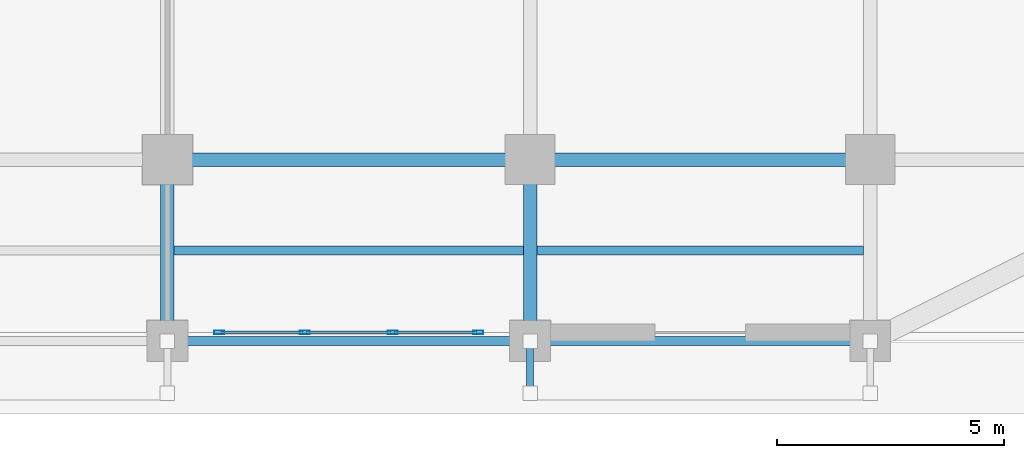
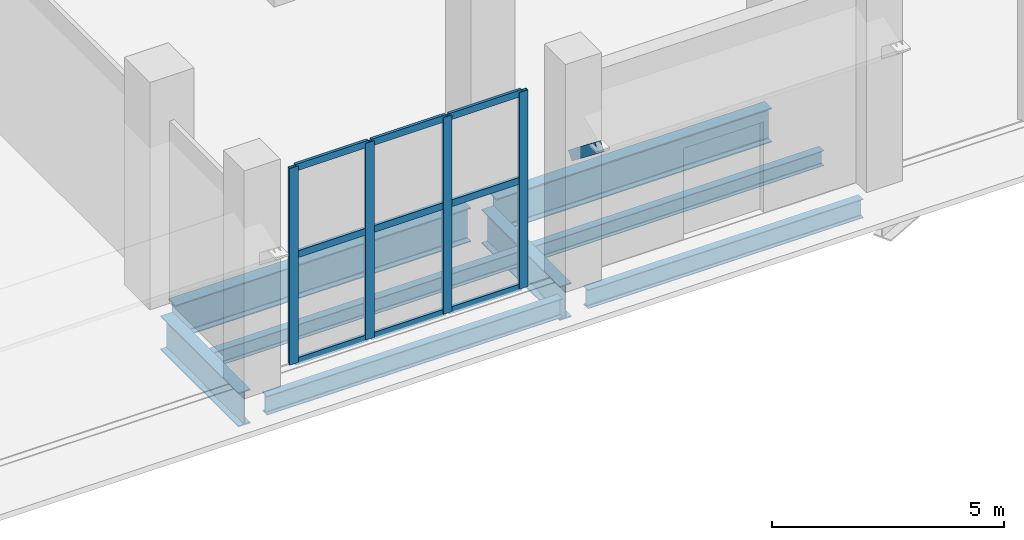
# One storey, part 8 of 19: 14 members, 8 beams, 1 element without a shape of its own.
"""IFC4 building model written with IfcOpenShell, lengths in metres."""

from ifc_helpers import new_model, si_unit, direction, frame, origin, origin_2d, place, context, subcontext, project, spatial, hollow_rectangle, i_section, extrude, material, layer, layer_set, material_profile, profile_set, type_object, element, aggregate, save


model = new_model("IFC4")

# Units and contexts
model_context = context("Model", 3, precision=1e-05, world=origin(), true_north=direction((0.0, 1.0)))
body_context = subcontext(model_context, "Body", "Model", "MODEL_VIEW")
ifc_project = project(units=[si_unit("LENGTHUNIT", "METRE"), si_unit("AREAUNIT", "SQUARE_METRE"), si_unit("VOLUMEUNIT", "CUBIC_METRE"), si_unit("PLANEANGLEUNIT", "RADIAN"), si_unit("MASSUNIT", "GRAM", prefix="KILO")], contexts=[model_context])

# Site, building, storey
site_placement = place(None, origin())
site = spatial("IfcSite", under=ifc_project, at=site_placement, CompositionType="ELEMENT")
building_placement = place(site_placement, origin())
building = spatial("IfcBuilding", under=site, at=building_placement, Name="Qianrong Seaharbour Tower", CompositionType="ELEMENT")
storey_placement = place(building_placement, origin())
storey = spatial("IfcBuildingStorey", under=building, at=storey_placement, Name="L01", CompositionType="ELEMENT", Elevation=0.0)

# Beams
ifc_material_1 = material(Name="Structural steel SN490B", Category="steel")
ifc_material_profile_1 = material_profile(ifc_material_1, i_section(OverallWidth=0.300048828125, OverallDepth=0.89990234375, WebThickness=0.01611328125, FlangeThickness=0.028076171875, FilletRadius=0.028076171875, at=origin_2d()), Name="H900x300x16x28")
ifc_profile_set_1 = profile_set([ifc_material_profile_1], Name="Structural steel SN490B")
beam_type_1 = type_object("IfcBeamType", Name="BM-G-900", PredefinedType="BEAM", material=ifc_profile_set_1)
beam_1_placement = place(storey_placement, frame((48.820068359375, 4.0, -0.8701171875), z_axis=(1.0, 0.0, 0.0), x_axis=(0.0, 1.0, 0.0)))
element("IfcBeam", 1, at=beam_1_placement, inside=storey, type_object=beam_type_1, Name="L01 Primary Girder GB G7-G8", PredefinedType="BEAM", context=body_context, shape_type="SweptSolid", body=[
    extrude(i_section(OverallWidth=0.300048828125, OverallDepth=0.89990234375, WebThickness=0.01611328125, FlangeThickness=0.028076171875, FilletRadius=0.028076171875, at=origin_2d()), origin(), (0.0, 0.0, 1.0), 7.35986328125),
])
beam_2_placement = place(storey_placement, frame((56.820068359375, 4.0, -0.8701171875), z_axis=(1.0, 0.0, 0.0), x_axis=(0.0, 1.0, 0.0)))
element("IfcBeam", 2, at=beam_2_placement, inside=storey, type_object=beam_type_1, Name="L01 Primary Girder GB G8-G9", PredefinedType="BEAM", context=body_context, shape_type="SweptSolid", body=[
    extrude(i_section(OverallWidth=0.300048828125, OverallDepth=0.89990234375, WebThickness=0.01611328125, FlangeThickness=0.028076171875, FilletRadius=0.028076171875, at=origin_2d()), origin(), (0.0, 0.0, 1.0), 6.85986328125),
])
for number, where, z_axis, x_axis, name in (
    (3, (48.5, 0.320068359375, -0.8701171875), (0.0, 1.0, 0.0), (-1.0, 0.0, 0.0), "L01 Primary Girder G7 GA-GB"),
    (4, (56.5, 0.320068359375, -0.8701171875), (0.0, 1.0, 0.0), (-1.0, 0.0, 0.0), "L01 Primary Girder G8 GA-GB"),
):
    element("IfcBeam", number, at=place(storey_placement, frame(where, z_axis=z_axis, x_axis=x_axis)), inside=storey, type_object=beam_type_1, Name=name, PredefinedType="BEAM", context=body_context, shape_type="SweptSolid", body=[
        extrude(i_section(OverallWidth=0.300048828125, OverallDepth=0.89990234375, WebThickness=0.01611328125, FlangeThickness=0.028076171875, FilletRadius=0.028076171875, at=origin_2d()), origin(), (0.0, 0.0, 1.0), 3.35986328125),
    ])
ifc_material_2 = material(Name="Structural steel SN400B", Category="steel")
ifc_material_profile_2 = material_profile(ifc_material_2, i_section(OverallWidth=0.199951171875, OverallDepth=0.39990234375, WebThickness=0.008056640625, FlangeThickness=0.012939453125, FilletRadius=0.01611328125, at=origin_2d()), Name="H400x200x8x13")
ifc_profile_set_2 = profile_set([ifc_material_profile_2], Name="Structural steel SN400B")
beam_type_2 = type_object("IfcBeamType", Name="BM-J-400", PredefinedType="JOIST", material=ifc_profile_set_2)
beam_3_placement = place(storey_placement, frame((48.64990234375, 2.0, -0.6201171875), z_axis=(1.0, 0.0, 0.0), x_axis=(0.0, 1.0, 0.0)))
element("IfcBeam", 5, at=beam_3_placement, inside=storey, type_object=beam_type_2, Name="L01 Composite Floor Joist G7-G8/GA-GB", PredefinedType="JOIST", context=body_context, shape_type="SweptSolid", body=[
    extrude(i_section(OverallWidth=0.199951171875, OverallDepth=0.39990234375, WebThickness=0.008056640625, FlangeThickness=0.012939453125, FilletRadius=0.01611328125, at=origin_2d()), origin(), (0.0, 0.0, 1.0), 7.7001953125),
])
beam_4_placement = place(storey_placement, frame((56.64990234375, 2.0, -0.6201171875), z_axis=(1.0, 0.0, 0.0), x_axis=(0.0, 1.0, 0.0)))
element("IfcBeam", 6, at=beam_4_placement, inside=storey, type_object=beam_type_2, Name="L01 Composite Floor Joist G8-G9/GA-GB", PredefinedType="JOIST", context=body_context, shape_type="SweptSolid", body=[
    extrude(i_section(OverallWidth=0.199951171875, OverallDepth=0.39990234375, WebThickness=0.008056640625, FlangeThickness=0.012939453125, FilletRadius=0.01611328125, at=origin_2d()), origin(), (0.0, 0.0, 1.0), 7.2001953125),
])
ifc_material_profile_3 = material_profile(ifc_material_1, i_section(OverallWidth=0.199951171875, OverallDepth=0.5, WebThickness=0.010009765625, FlangeThickness=0.01611328125, FilletRadius=0.02001953125, at=origin_2d()), Name="H500x200x10x16")
ifc_profile_set_3 = profile_set([ifc_material_profile_3], Name="Structural steel SN490B")
beam_type_3 = type_object("IfcBeamType", Name="BM-SP-500", PredefinedType="SPANDREL", material=ifc_profile_set_3)
beam_5_placement = place(storey_placement, frame((48.820068359375, 0.0, -0.669921875), z_axis=(1.0, 0.0, 0.0), x_axis=(0.0, 1.0, 0.0)))
element("IfcBeam", 7, at=beam_5_placement, inside=storey, type_object=beam_type_3, Name="L01 Spandrel Girder GA G7-G8", PredefinedType="SPANDREL", context=body_context, shape_type="SweptSolid", body=[
    extrude(i_section(OverallWidth=0.199951171875, OverallDepth=0.5, WebThickness=0.010009765625, FlangeThickness=0.01611328125, FilletRadius=0.02001953125, at=origin_2d()), origin(), (0.0, 0.0, 1.0), 7.35986328125),
])
beam_6_placement = place(storey_placement, frame((56.820068359375, 0.0, -0.669921875), z_axis=(1.0, 0.0, 0.0), x_axis=(0.0, 1.0, 0.0)))
element("IfcBeam", 8, at=beam_6_placement, inside=storey, type_object=beam_type_3, Name="L01 Spandrel Girder GA G8-G9", PredefinedType="SPANDREL", context=body_context, shape_type="SweptSolid", body=[
    extrude(i_section(OverallWidth=0.199951171875, OverallDepth=0.5, WebThickness=0.010009765625, FlangeThickness=0.01611328125, FilletRadius=0.02001953125, at=origin_2d()), origin(), (0.0, 0.0, 1.0), 6.85986328125),
])

# Curtain wall, members
ifc_material_3 = material(Name="Anodised aluminium 6063-T6 and laminated low-e glass", Category="aluminium")
ifc_layer = layer(ifc_material_3, 0.219970703125)
ifc_layer_set = layer_set([ifc_layer], Name="Anodised aluminium 6063-T6 and laminated low-e glass")
curtain_wall_type = type_object("IfcCurtainWallType", Name="CW-SYS-1", PredefinedType="NOTDEFINED", material=ifc_layer_set)
curtain_wall_placement = place(storey_placement, origin())
curtain_wall = element("IfcCurtainWall", 9, at=curtain_wall_placement, inside=storey, type_object=curtain_wall_type, Name="L01 Waterfront Colonnade Curtain Wall Bay 4", PredefinedType="NOTDEFINED")
ifc_material_4 = material(Name="Extruded aluminium 6063-T6", Category="aluminium")
ifc_material_profile_4 = material_profile(ifc_material_4, hollow_rectangle(XDim=0.080078125, YDim=0.219970703125, WallThickness=0.0048828125, at=origin_2d()), Name="ALU-MUL-220x80x5")
ifc_profile_set_4 = profile_set([ifc_material_profile_4], Name="Extruded aluminium 6063-T6")
member_type_1 = type_object("IfcMemberType", Name="CW-MUL-220", PredefinedType="MULLION", material=ifc_profile_set_4)
member_1_placement = place(storey_placement, frame((55.360107421875, 0.18994140625, 0.0), z_axis=(0.0, 0.0, 1.0), x_axis=(0.0, -1.0, 0.0)))
member_1 = element("IfcMember", 10, at=member_1_placement, type_object=member_type_1, Name="CW-1 mullion 1", PredefinedType="MULLION", context=body_context, shape_type="SweptSolid", body=[
    extrude(hollow_rectangle(XDim=0.080078125, YDim=0.219970703125, WallThickness=0.0048828125, at=origin_2d()), origin(), (0.0, 0.0, 1.0), 5.179931640625),
])
member_2_placement = place(storey_placement, frame((53.466552734375, 0.18994140625, 0.0), z_axis=(0.0, 0.0, 1.0), x_axis=(0.0, -1.0, 0.0)))
member_2 = element("IfcMember", 11, at=member_2_placement, type_object=member_type_1, Name="CW-1 mullion 2", PredefinedType="MULLION", context=body_context, shape_type="SweptSolid", body=[
    extrude(hollow_rectangle(XDim=0.080078125, YDim=0.219970703125, WallThickness=0.0048828125, at=origin_2d()), origin(), (0.0, 0.0, 1.0), 5.179931640625),
])
member_3_placement = place(storey_placement, frame((51.533447265625, 0.18994140625, 0.0), z_axis=(0.0, 0.0, 1.0), x_axis=(0.0, -1.0, 0.0)))
member_3 = element("IfcMember", 12, at=member_3_placement, type_object=member_type_1, Name="CW-1 mullion 3", PredefinedType="MULLION", context=body_context, shape_type="SweptSolid", body=[
    extrude(hollow_rectangle(XDim=0.080078125, YDim=0.219970703125, WallThickness=0.0048828125, at=origin_2d()), origin(), (0.0, 0.0, 1.0), 5.179931640625),
])
member_4_placement = place(storey_placement, frame((49.639892578125, 0.18994140625, 0.0), z_axis=(0.0, 0.0, 1.0), x_axis=(0.0, -1.0, 0.0)))
member_4 = element("IfcMember", 13, at=member_4_placement, type_object=member_type_1, Name="CW-1 mullion 4", PredefinedType="MULLION", context=body_context, shape_type="SweptSolid", body=[
    extrude(hollow_rectangle(XDim=0.080078125, YDim=0.219970703125, WallThickness=0.0048828125, at=origin_2d()), origin(), (0.0, 0.0, 1.0), 5.179931640625),
])
ifc_material_profile_5 = material_profile(ifc_material_4, hollow_rectangle(XDim=0.070068359375, YDim=0.179931640625, WallThickness=0.00390625, at=origin_2d()), Name="ALU-TRN-180x70x4")
ifc_profile_set_5 = profile_set([ifc_material_profile_5], Name="Extruded aluminium 6063-T6")
member_type_2 = type_object("IfcMemberType", Name="CW-TRN-180", PredefinedType="USERDEFINED", material=ifc_profile_set_5)
member_5_placement = place(storey_placement, frame((55.320068359375, 0.18994140625, 0.034912109375), z_axis=(-1.0, 0.0, 0.0), x_axis=(0.0, -1.0, 0.0)))
member_5 = element("IfcMember", 14, at=member_5_placement, type_object=member_type_2, Name="CW-1 transom 1.1", ObjectType="TRANSOM", PredefinedType="USERDEFINED", context=body_context, shape_type="SweptSolid", body=[
    extrude(hollow_rectangle(XDim=0.070068359375, YDim=0.179931640625, WallThickness=0.00390625, at=origin_2d()), origin(), (0.0, 0.0, 1.0), 1.8134765625),
])
member_6_placement = place(storey_placement, frame((55.320068359375, 0.18994140625, 2.84912109375), z_axis=(-1.0, 0.0, 0.0), x_axis=(0.0, -1.0, 0.0)))
member_6 = element("IfcMember", 15, at=member_6_placement, type_object=member_type_2, Name="CW-1 transom 1.2", ObjectType="TRANSOM", PredefinedType="USERDEFINED", context=body_context, shape_type="SweptSolid", body=[
    extrude(hollow_rectangle(XDim=0.070068359375, YDim=0.179931640625, WallThickness=0.00390625, at=origin_2d()), origin(), (0.0, 0.0, 1.0), 1.8134765625),
])
member_7_placement = place(storey_placement, frame((55.320068359375, 0.18994140625, 5.14501953125), z_axis=(-1.0, 0.0, 0.0), x_axis=(0.0, -1.0, 0.0)))
member_7 = element("IfcMember", 16, at=member_7_placement, type_object=member_type_2, Name="CW-1 transom 1.3", ObjectType="TRANSOM", PredefinedType="USERDEFINED", context=body_context, shape_type="SweptSolid", body=[
    extrude(hollow_rectangle(XDim=0.070068359375, YDim=0.179931640625, WallThickness=0.00390625, at=origin_2d()), origin(), (0.0, 0.0, 1.0), 1.8134765625),
])
member_8_placement = place(storey_placement, frame((53.4267578125, 0.18994140625, 0.034912109375), z_axis=(-1.0, 0.0, 0.0), x_axis=(0.0, -1.0, 0.0)))
member_8 = element("IfcMember", 17, at=member_8_placement, type_object=member_type_2, Name="CW-1 transom 2.1", ObjectType="TRANSOM", PredefinedType="USERDEFINED", context=body_context, shape_type="SweptSolid", body=[
    extrude(hollow_rectangle(XDim=0.070068359375, YDim=0.179931640625, WallThickness=0.00390625, at=origin_2d()), origin(), (0.0, 0.0, 1.0), 1.853515625),
])
member_9_placement = place(storey_placement, frame((53.4267578125, 0.18994140625, 2.84912109375), z_axis=(-1.0, 0.0, 0.0), x_axis=(0.0, -1.0, 0.0)))
member_9 = element("IfcMember", 18, at=member_9_placement, type_object=member_type_2, Name="CW-1 transom 2.2", ObjectType="TRANSOM", PredefinedType="USERDEFINED", context=body_context, shape_type="SweptSolid", body=[
    extrude(hollow_rectangle(XDim=0.070068359375, YDim=0.179931640625, WallThickness=0.00390625, at=origin_2d()), origin(), (0.0, 0.0, 1.0), 1.853515625),
])
member_10_placement = place(storey_placement, frame((53.4267578125, 0.18994140625, 5.14501953125), z_axis=(-1.0, 0.0, 0.0), x_axis=(0.0, -1.0, 0.0)))
member_10 = element("IfcMember", 19, at=member_10_placement, type_object=member_type_2, Name="CW-1 transom 2.3", ObjectType="TRANSOM", PredefinedType="USERDEFINED", context=body_context, shape_type="SweptSolid", body=[
    extrude(hollow_rectangle(XDim=0.070068359375, YDim=0.179931640625, WallThickness=0.00390625, at=origin_2d()), origin(), (0.0, 0.0, 1.0), 1.853515625),
])
member_11_placement = place(storey_placement, frame((51.493408203125, 0.18994140625, 0.034912109375), z_axis=(-1.0, 0.0, 0.0), x_axis=(0.0, -1.0, 0.0)))
member_11 = element("IfcMember", 20, at=member_11_placement, type_object=member_type_2, Name="CW-1 transom 3.1", ObjectType="TRANSOM", PredefinedType="USERDEFINED", context=body_context, shape_type="SweptSolid", body=[
    extrude(hollow_rectangle(XDim=0.070068359375, YDim=0.179931640625, WallThickness=0.00390625, at=origin_2d()), origin(), (0.0, 0.0, 1.0), 1.8134765625),
])
member_12_placement = place(storey_placement, frame((51.493408203125, 0.18994140625, 2.84912109375), z_axis=(-1.0, 0.0, 0.0), x_axis=(0.0, -1.0, 0.0)))
member_12 = element("IfcMember", 21, at=member_12_placement, type_object=member_type_2, Name="CW-1 transom 3.2", ObjectType="TRANSOM", PredefinedType="USERDEFINED", context=body_context, shape_type="SweptSolid", body=[
    extrude(hollow_rectangle(XDim=0.070068359375, YDim=0.179931640625, WallThickness=0.00390625, at=origin_2d()), origin(), (0.0, 0.0, 1.0), 1.8134765625),
])
member_13_placement = place(storey_placement, frame((51.493408203125, 0.18994140625, 5.14501953125), z_axis=(-1.0, 0.0, 0.0), x_axis=(0.0, -1.0, 0.0)))
member_13 = element("IfcMember", 22, at=member_13_placement, type_object=member_type_2, Name="CW-1 transom 3.3", ObjectType="TRANSOM", PredefinedType="USERDEFINED", context=body_context, shape_type="SweptSolid", body=[
    extrude(hollow_rectangle(XDim=0.070068359375, YDim=0.179931640625, WallThickness=0.00390625, at=origin_2d()), origin(), (0.0, 0.0, 1.0), 1.8134765625),
])
aggregate(curtain_wall, [member_1, member_2, member_3, member_4, member_5, member_6, member_7, member_8, member_9, member_10, member_11, member_12, member_13])

# Member
ifc_material_profile_6 = material_profile(ifc_material_2, hollow_rectangle(XDim=0.14990234375, YDim=0.25, WallThickness=0.009033203125, at=origin_2d()), Name="RHS250x150x9")
ifc_profile_set_6 = profile_set([ifc_material_profile_6], Name="Structural steel SN400B")
member_type_3 = type_object("IfcMemberType", Name="MEM-STRUT-250", PredefinedType="STRUT", material=ifc_profile_set_6)
member_14_placement = place(storey_placement, frame((56.5, 0.0, 3.199951171875), z_axis=(0.0, -0.78743090963, 0.616402922251), x_axis=(1.0, 0.0, 0.0)))
element("IfcMember", 23, at=member_14_placement, inside=storey, type_object=member_type_3, Name="Colonnade Canopy Support Strut 4W", PredefinedType="STRUT", context=body_context, shape_type="SweptSolid", body=[
    extrude(hollow_rectangle(XDim=0.14990234375, YDim=0.25, WallThickness=0.009033203125, at=origin_2d()), origin(), (0.0, 0.0, 1.0), 1.460205078125),
])

save(model, "model.ifc")
